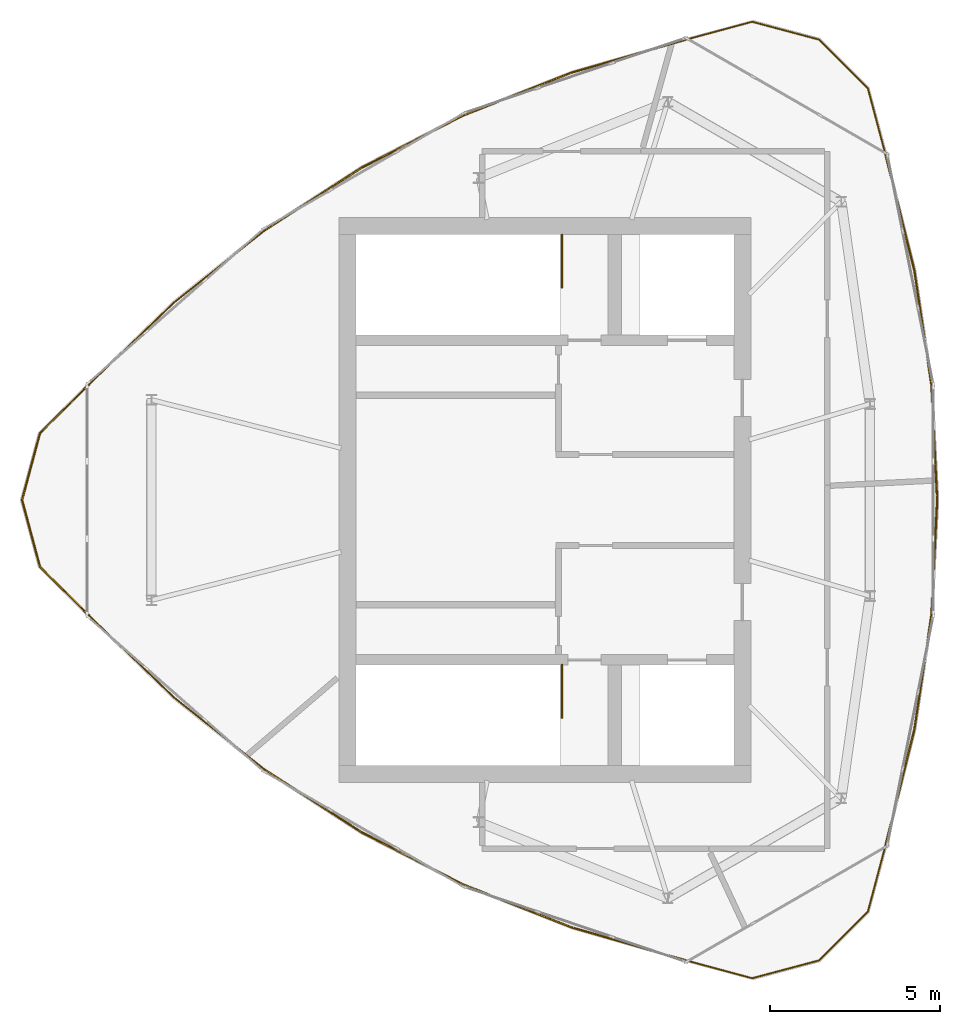
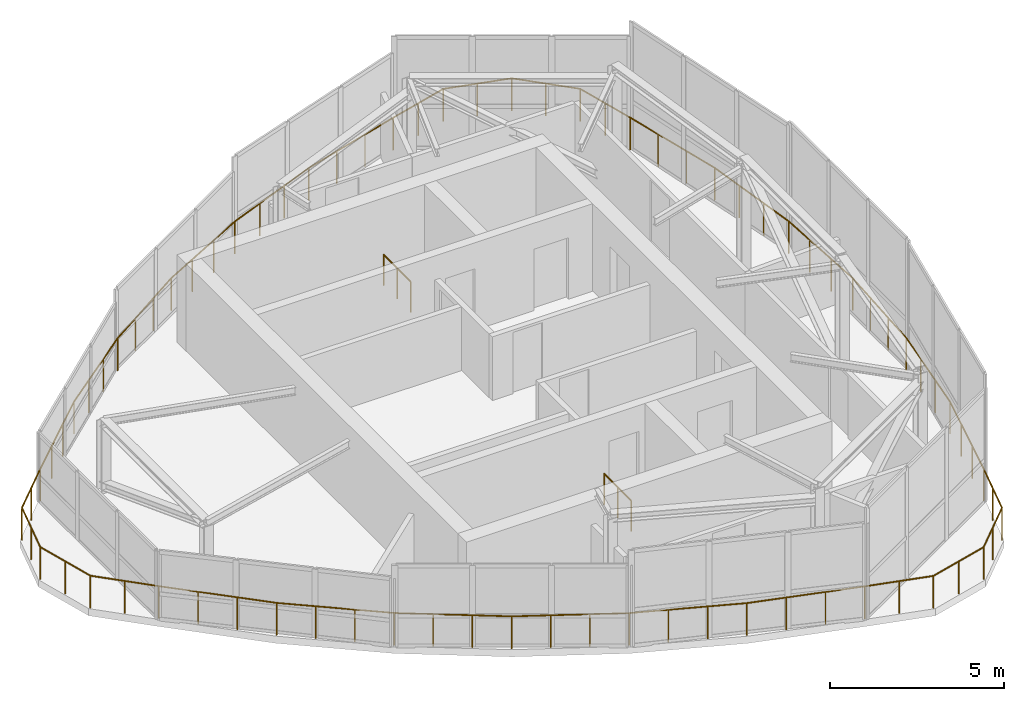
# One storey, part 9 of 9: 14 railings.
"""IFC4 building model written with IfcOpenShell, lengths in metres."""

from ifc_helpers import new_model, si_unit, direction, frame, origin, origin_2d, place, context, subcontext, project, spatial, circle, extrude, source, transform, mapped, material, type_object, element, save


model = new_model("IFC4")

# Units and contexts
model_context = context("Model", 3, precision=1e-05, world=origin(), true_north=direction((0.0, 1.0)))
body_context = subcontext(model_context, "Body", "Model", "MODEL_VIEW")
ifc_project = project(units=[si_unit("LENGTHUNIT", "METRE"), si_unit("AREAUNIT", "SQUARE_METRE"), si_unit("VOLUMEUNIT", "CUBIC_METRE"), si_unit("PLANEANGLEUNIT", "RADIAN"), si_unit("MASSUNIT", "GRAM", prefix="KILO")], contexts=[model_context])

# Site, building, storey
site_placement = place(None, origin())
site = spatial("IfcSite", under=ifc_project, at=site_placement, CompositionType="ELEMENT")
building_placement = place(site_placement, origin())
building = spatial("IfcBuilding", under=site, at=building_placement, Name="Qafzar Sky-Pleat Residences", CompositionType="ELEMENT")
storey_placement = place(building_placement, frame((0.0, 0.0, 274.699951171875)))
storey = spatial("IfcBuildingStorey", under=building, at=storey_placement, Name="L81 Crown", CompositionType="ELEMENT", Elevation=274.699951171875)

# Railings
ifc_material_1 = material(Name="Galvanised and bronze-coated Steel S355 guardrail", Category="steel")
railing_type_1 = type_object("IfcRailingType", Name="RAIL-EXT-1150", PredefinedType="GUARDRAIL", material=ifc_material_1)
shared_shape_1 = source(origin(), body_context, "Body", "SweptSolid", [
    extrude(circle(Radius=0.02392578125, at=origin_2d()), frame((0.0, 0.0, 1.1259765625), z_axis=(-0.708724936712, -0.705484914143, 0.0), x_axis=(0.705484914143, -0.708724936712, 0.0)), (0.0, 0.0, 1.0), 2.034423828125),
    extrude(circle(Radius=0.02392578125, at=origin_2d()), frame((-1.44189453125, -1.435302734375, 1.1259765625), z_axis=(-0.259598651554, -0.965716594096, 0.0), x_axis=(0.965716594096, -0.259598651554, 0.0)), (0.0, 0.0, 1.0), 2.0322265625),
    extrude(circle(Radius=0.02392578125, at=origin_2d()), frame((-1.969482421875, -3.39794921875, 1.1259765625), z_axis=(0.259598651554, -0.965716594096, 0.0), x_axis=(0.965716594096, 0.259598651554, 0.0)), (0.0, 0.0, 1.0), 2.0322265625),
    extrude(circle(Radius=0.02392578125, at=origin_2d()), frame((-1.44189453125, -5.360595703125, 1.1259765625), z_axis=(0.708724936712, -0.705484914143, 0.0), x_axis=(0.705484914143, 0.708724936712, 0.0)), (0.0, 0.0, 1.0), 2.034423828125),
    extrude(circle(Radius=0.02099609375, at=origin_2d()), origin(), (0.0, 0.0, 1.0), 1.101806640625),
    extrude(circle(Radius=0.02099609375, at=origin_2d()), frame((-0.720947265625, -0.7177734375, 0.0)), (0.0, 0.0, 1.0), 1.101806640625),
    extrude(circle(Radius=0.02099609375, at=origin_2d()), frame((-1.44189453125, -1.435302734375, 0.0)), (0.0, 0.0, 1.0), 1.101806640625),
    extrude(circle(Radius=0.02099609375, at=origin_2d()), frame((-1.70556640625, -2.41650390625, 0.0)), (0.0, 0.0, 1.0), 1.101806640625),
    extrude(circle(Radius=0.02099609375, at=origin_2d()), frame((-1.969482421875, -3.39794921875, 0.0)), (0.0, 0.0, 1.0), 1.101806640625),
    extrude(circle(Radius=0.02099609375, at=origin_2d()), frame((-1.70556640625, -4.37939453125, 0.0)), (0.0, 0.0, 1.0), 1.101806640625),
    extrude(circle(Radius=0.02099609375, at=origin_2d()), frame((-1.44189453125, -5.360595703125, 0.0)), (0.0, 0.0, 1.0), 1.101806640625),
    extrude(circle(Radius=0.02099609375, at=origin_2d()), frame((-0.720947265625, -6.078125, 0.0)), (0.0, 0.0, 1.0), 1.101806640625),
    extrude(circle(Radius=0.02099609375, at=origin_2d()), frame((0.0, -6.7958984375, 0.0)), (0.0, 0.0, 1.0), 1.101806640625),
])
railing_1_placement = place(storey_placement, frame((16.943115234375, 29.39794921875, 0.0)))
element("IfcRailing", 1, at=railing_1_placement, inside=storey, type_object=railing_type_1, Name="L81 Crown Corner Maintenance Guardrail 1", PredefinedType="GUARDRAIL", context=body_context, shape_type="MappedRepresentation", body=[
    mapped(shared_shape_1, transform((0.0, 0.0, 0.0), x_axis=(1.0, 0.0, 0.0), y_axis=(0.0, 1.0, 0.0), z_axis=(0.0, 0.0, 1.0), scale=1.0)),
])
shared_shape_2 = source(origin(), body_context, "Body", "SweptSolid", [
    extrude(circle(Radius=0.02392578125, at=origin_2d()), frame((0.0, 0.0, 1.1259765625), z_axis=(0.720079805165, -0.693891255309, 0.0), x_axis=(0.693891255309, 0.720079805165, 0.0)), (0.0, 0.0, 1.0), 3.477294921875),
    extrude(circle(Radius=0.02392578125, at=origin_2d()), frame((2.50390625, -2.412841796875, 1.1259765625), z_axis=(0.782780301242, -0.622298160039, 0.0), x_axis=(0.622298160039, 0.782780301242, 0.0)), (0.0, 0.0, 1.0), 3.40771484375),
    extrude(circle(Radius=0.02099609375, at=origin_2d()), origin(), (0.0, 0.0, 1.0), 1.101806640625),
    extrude(circle(Radius=0.02099609375, at=origin_2d()), frame((0.834716796875, -0.80419921875, 0.0)), (0.0, 0.0, 1.0), 1.101806640625),
    extrude(circle(Radius=0.02099609375, at=origin_2d()), frame((1.669189453125, -1.608642578125, 0.0)), (0.0, 0.0, 1.0), 1.101806640625),
    extrude(circle(Radius=0.02099609375, at=origin_2d()), frame((2.50390625, -2.412841796875, 0.0)), (0.0, 0.0, 1.0), 1.101806640625),
    extrude(circle(Radius=0.02099609375, at=origin_2d()), frame((3.39306640625, -3.11962890625, 0.0)), (0.0, 0.0, 1.0), 1.101806640625),
    extrude(circle(Radius=0.02099609375, at=origin_2d()), frame((4.2822265625, -3.82666015625, 0.0)), (0.0, 0.0, 1.0), 1.101806640625),
    extrude(circle(Radius=0.02099609375, at=origin_2d()), frame((5.17138671875, -4.533447265625, 0.0)), (0.0, 0.0, 1.0), 1.101806640625),
])
railing_2_placement = place(storey_placement, frame((16.943115234375, 22.60205078125, 0.0)))
element("IfcRailing", 2, at=railing_2_placement, inside=storey, type_object=railing_type_1, Name="L81 Crown Corner Maintenance Guardrail 2", PredefinedType="GUARDRAIL", context=body_context, shape_type="MappedRepresentation", body=[
    mapped(shared_shape_2, transform((0.0, 0.0, 0.0), x_axis=(1.0, 0.0, 0.0), y_axis=(0.0, 1.0, 0.0), z_axis=(0.0, 0.0, 1.0), scale=1.0)),
])
shared_shape_3 = source(origin(), body_context, "Body", "SweptSolid", [
    extrude(circle(Radius=0.02392578125, at=origin_2d()), frame((0.0, 0.0, 1.1259765625), z_axis=(0.839651683726, -0.54312526181, 0.0), x_axis=(0.54312526181, 0.839651683726, 0.0)), (0.0, 0.0, 1.0), 3.3740234375),
    extrude(circle(Radius=0.02392578125, at=origin_2d()), frame((2.8330078125, -1.83251953125, 1.1259765625), z_axis=(0.889146625227, -0.457622419521, 0.0), x_axis=(0.457622419521, 0.889146625227, 0.0)), (0.0, 0.0, 1.0), 3.376953125),
    extrude(circle(Radius=0.02099609375, at=origin_2d()), origin(), (0.0, 0.0, 1.0), 1.101806640625),
    extrude(circle(Radius=0.02099609375, at=origin_2d()), frame((0.9443359375, -0.61083984375, 0.0)), (0.0, 0.0, 1.0), 1.101806640625),
    extrude(circle(Radius=0.02099609375, at=origin_2d()), frame((1.888671875, -1.2216796875, 0.0)), (0.0, 0.0, 1.0), 1.101806640625),
    extrude(circle(Radius=0.02099609375, at=origin_2d()), frame((2.8330078125, -1.83251953125, 0.0)), (0.0, 0.0, 1.0), 1.101806640625),
    extrude(circle(Radius=0.02099609375, at=origin_2d()), frame((3.833984375, -2.34765625, 0.0)), (0.0, 0.0, 1.0), 1.101806640625),
    extrude(circle(Radius=0.02099609375, at=origin_2d()), frame((4.834716796875, -2.86279296875, 0.0)), (0.0, 0.0, 1.0), 1.101806640625),
    extrude(circle(Radius=0.02099609375, at=origin_2d()), frame((5.835693359375, -3.3779296875, 0.0)), (0.0, 0.0, 1.0), 1.101806640625),
])
railing_3_placement = place(storey_placement, frame((22.114501953125, 18.068603515625, 0.0)))
element("IfcRailing", 3, at=railing_3_placement, inside=storey, type_object=railing_type_1, Name="L81 Crown Corner Maintenance Guardrail 3", PredefinedType="GUARDRAIL", context=body_context, shape_type="MappedRepresentation", body=[
    mapped(shared_shape_3, transform((0.0, 0.0, 0.0), x_axis=(1.0, 0.0, 0.0), y_axis=(0.0, 1.0, 0.0), z_axis=(0.0, 0.0, 1.0), scale=1.0)),
])
shared_shape_4 = source(origin(), body_context, "Body", "SweptSolid", [
    extrude(circle(Radius=0.02392578125, at=origin_2d()), frame((0.0, 0.0, 1.1259765625), z_axis=(0.929860633226, -0.36791194976, 0.0), x_axis=(0.36791194976, 0.929860633226, 0.0)), (0.0, 0.0, 1.0), 3.414794921875),
    extrude(circle(Radius=0.02392578125, at=origin_2d()), frame((3.17529296875, -1.25634765625, 1.1259765625), z_axis=(0.960873454928, -0.276987731884, 0.0), x_axis=(0.276987731884, 0.960873454928, 0.0)), (0.0, 0.0, 1.0), 3.484130859375),
    extrude(circle(Radius=0.02099609375, at=origin_2d()), origin(), (0.0, 0.0, 1.0), 1.101806640625),
    extrude(circle(Radius=0.02099609375, at=origin_2d()), frame((1.058349609375, -0.418701171875, 0.0)), (0.0, 0.0, 1.0), 1.101806640625),
    extrude(circle(Radius=0.02099609375, at=origin_2d()), frame((2.116943359375, -0.837646484375, 0.0)), (0.0, 0.0, 1.0), 1.101806640625),
    extrude(circle(Radius=0.02099609375, at=origin_2d()), frame((3.17529296875, -1.25634765625, 0.0)), (0.0, 0.0, 1.0), 1.101806640625),
    extrude(circle(Radius=0.02099609375, at=origin_2d()), frame((4.291259765625, -1.578125, 0.0)), (0.0, 0.0, 1.0), 1.101806640625),
    extrude(circle(Radius=0.02099609375, at=origin_2d()), frame((5.4072265625, -1.899658203125, 0.0)), (0.0, 0.0, 1.0), 1.101806640625),
    extrude(circle(Radius=0.02099609375, at=origin_2d()), frame((6.523193359375, -2.221435546875, 0.0)), (0.0, 0.0, 1.0), 1.101806640625),
])
railing_4_placement = place(storey_placement, frame((27.9501953125, 14.690673828125, 0.0)))
element("IfcRailing", 4, at=railing_4_placement, inside=storey, type_object=railing_type_1, Name="L81 Crown Corner Maintenance Guardrail 4", PredefinedType="GUARDRAIL", context=body_context, shape_type="MappedRepresentation", body=[
    mapped(shared_shape_4, transform((0.0, 0.0, 0.0), x_axis=(1.0, 0.0, 0.0), y_axis=(0.0, 1.0, 0.0), z_axis=(0.0, 0.0, 1.0), scale=1.0)),
])
shared_shape_5 = source(origin(), body_context, "Body", "SweptSolid", [
    extrude(circle(Radius=0.02392578125, at=origin_2d()), frame((0.0, 0.0, 1.1259765625), z_axis=(0.965402539067, -0.260764141635, 0.0), x_axis=(0.260764141635, 0.965402539067, 0.0)), (0.0, 0.0, 1.0), 2.037353515625),
    extrude(circle(Radius=0.02392578125, at=origin_2d()), frame((1.966796875, -0.53125, 1.1259765625), z_axis=(0.96619709794, 0.257804514958, 0.0), x_axis=(-0.257804514958, 0.96619709794, 0.0)), (0.0, 0.0, 1.0), 2.03515625),
    extrude(circle(Radius=0.02392578125, at=origin_2d()), frame((3.93310546875, -0.006591796875, 1.1259765625), z_axis=(0.706926756555, 0.707286759996, 0.0), x_axis=(-0.707286759996, 0.706926756555, 0.0)), (0.0, 0.0, 1.0), 2.034423828125),
    extrude(circle(Radius=0.02392578125, at=origin_2d()), frame((5.371337890625, 1.432373046875, 1.1259765625), z_axis=(0.257490961633, 0.966280706978, 0.0), x_axis=(-0.966280706978, 0.257490961633, 0.0)), (0.0, 0.0, 1.0), 2.03564453125),
    extrude(circle(Radius=0.02099609375, at=origin_2d()), origin(), (0.0, 0.0, 1.0), 1.101806640625),
    extrude(circle(Radius=0.02099609375, at=origin_2d()), frame((0.9833984375, -0.265625, 0.0)), (0.0, 0.0, 1.0), 1.101806640625),
    extrude(circle(Radius=0.02099609375, at=origin_2d()), frame((1.966796875, -0.53125, 0.0)), (0.0, 0.0, 1.0), 1.101806640625),
    extrude(circle(Radius=0.02099609375, at=origin_2d()), frame((2.949951171875, -0.26904296875, 0.0)), (0.0, 0.0, 1.0), 1.101806640625),
    extrude(circle(Radius=0.02099609375, at=origin_2d()), frame((3.93310546875, -0.006591796875, 0.0)), (0.0, 0.0, 1.0), 1.101806640625),
    extrude(circle(Radius=0.02099609375, at=origin_2d()), frame((4.65234375, 0.712890625, 0.0)), (0.0, 0.0, 1.0), 1.101806640625),
    extrude(circle(Radius=0.02099609375, at=origin_2d()), frame((5.371337890625, 1.432373046875, 0.0)), (0.0, 0.0, 1.0), 1.101806640625),
    extrude(circle(Radius=0.02099609375, at=origin_2d()), frame((5.63330078125, 2.416015625, 0.0)), (0.0, 0.0, 1.0), 1.101806640625),
    extrude(circle(Radius=0.02099609375, at=origin_2d()), frame((5.8955078125, 3.3994140625, 0.0)), (0.0, 0.0, 1.0), 1.101806640625),
])
railing_5_placement = place(storey_placement, frame((34.473388671875, 12.46923828125, 0.0)))
element("IfcRailing", 5, at=railing_5_placement, inside=storey, type_object=railing_type_1, Name="L81 Crown Corner Maintenance Guardrail 5", PredefinedType="GUARDRAIL", context=body_context, shape_type="MappedRepresentation", body=[
    mapped(shared_shape_5, transform((0.0, 0.0, 0.0), x_axis=(1.0, 0.0, 0.0), y_axis=(0.0, 1.0, 0.0), z_axis=(0.0, 0.0, 1.0), scale=1.0)),
])
shared_shape_6 = source(origin(), body_context, "Body", "SweptSolid", [
    extrude(circle(Radius=0.02392578125, at=origin_2d()), frame((0.0, 0.0, 1.1259765625), z_axis=(0.241331133365, 0.970442828851, 0.0), x_axis=(-0.970442828851, 0.241331133365, 0.0)), (0.0, 0.0, 1.0), 3.482177734375),
    extrude(circle(Radius=0.02392578125, at=origin_2d()), frame((0.84033203125, 3.379150390625, 1.1259765625), z_axis=(0.147525640354, 0.989058231571, 0.0), x_axis=(-0.989058231571, 0.147525640354, 0.0)), (0.0, 0.0, 1.0), 3.4140625),
    extrude(circle(Radius=0.02099609375, at=origin_2d()), origin(), (0.0, 0.0, 1.0), 1.101806640625),
    extrude(circle(Radius=0.02099609375, at=origin_2d()), frame((0.280029296875, 1.12646484375, 0.0)), (0.0, 0.0, 1.0), 1.101806640625),
    extrude(circle(Radius=0.02099609375, at=origin_2d()), frame((0.560302734375, 2.252685546875, 0.0)), (0.0, 0.0, 1.0), 1.101806640625),
    extrude(circle(Radius=0.02099609375, at=origin_2d()), frame((0.84033203125, 3.379150390625, 0.0)), (0.0, 0.0, 1.0), 1.101806640625),
    extrude(circle(Radius=0.02099609375, at=origin_2d()), frame((1.00830078125, 4.504638671875, 0.0)), (0.0, 0.0, 1.0), 1.101806640625),
    extrude(circle(Radius=0.02099609375, at=origin_2d()), frame((1.176025390625, 5.63037109375, 0.0)), (0.0, 0.0, 1.0), 1.101806640625),
    extrude(circle(Radius=0.02099609375, at=origin_2d()), frame((1.343994140625, 6.755859375, 0.0)), (0.0, 0.0, 1.0), 1.101806640625),
])
railing_6_placement = place(storey_placement, frame((40.368896484375, 15.86865234375, 0.0)))
element("IfcRailing", 6, at=railing_6_placement, inside=storey, type_object=railing_type_1, Name="L81 Crown Corner Maintenance Guardrail 6", PredefinedType="GUARDRAIL", context=body_context, shape_type="MappedRepresentation", body=[
    mapped(shared_shape_6, transform((0.0, 0.0, 0.0), x_axis=(1.0, 0.0, 0.0), y_axis=(0.0, 1.0, 0.0), z_axis=(0.0, 0.0, 1.0), scale=1.0)),
])
shared_shape_7 = source(origin(), body_context, "Body", "SweptSolid", [
    extrude(circle(Radius=0.02392578125, at=origin_2d()), frame((0.0, 0.0, 1.1259765625), z_axis=(0.049627764151, 0.998767783334, 0.0), x_axis=(-0.998767783334, 0.049627764151, 0.0)), (0.0, 0.0, 1.0), 3.379638671875),
    extrude(circle(Radius=0.02392578125, at=origin_2d()), frame((0.167724609375, 3.37548828125, 1.1259765625), z_axis=(-0.049627764151, 0.998767783334, 0.0), x_axis=(-0.998767783334, -0.049627764151, 0.0)), (0.0, 0.0, 1.0), 3.379638671875),
    extrude(circle(Radius=0.02099609375, at=origin_2d()), origin(), (0.0, 0.0, 1.0), 1.101806640625),
    extrude(circle(Radius=0.02099609375, at=origin_2d()), frame((0.055908203125, 1.125244140625, 0.0)), (0.0, 0.0, 1.0), 1.101806640625),
    extrude(circle(Radius=0.02099609375, at=origin_2d()), frame((0.11181640625, 2.250244140625, 0.0)), (0.0, 0.0, 1.0), 1.101806640625),
    extrude(circle(Radius=0.02099609375, at=origin_2d()), frame((0.167724609375, 3.37548828125, 0.0)), (0.0, 0.0, 1.0), 1.101806640625),
    extrude(circle(Radius=0.02099609375, at=origin_2d()), frame((0.11181640625, 4.500732421875, 0.0)), (0.0, 0.0, 1.0), 1.101806640625),
    extrude(circle(Radius=0.02099609375, at=origin_2d()), frame((0.055908203125, 5.625732421875, 0.0)), (0.0, 0.0, 1.0), 1.101806640625),
    extrude(circle(Radius=0.02099609375, at=origin_2d()), frame((0.0, 6.7509765625, 0.0)), (0.0, 0.0, 1.0), 1.101806640625),
])
railing_7_placement = place(storey_placement, frame((41.712890625, 22.62451171875, 0.0)))
element("IfcRailing", 7, at=railing_7_placement, inside=storey, type_object=railing_type_1, Name="L81 Crown Corner Maintenance Guardrail 7", PredefinedType="GUARDRAIL", context=body_context, shape_type="MappedRepresentation", body=[
    mapped(shared_shape_7, transform((0.0, 0.0, 0.0), x_axis=(1.0, 0.0, 0.0), y_axis=(0.0, 1.0, 0.0), z_axis=(0.0, 0.0, 1.0), scale=1.0)),
])
shared_shape_8 = source(origin(), body_context, "Body", "SweptSolid", [
    extrude(circle(Radius=0.02392578125, at=origin_2d()), frame((0.0, 0.0, 1.1259765625), z_axis=(-0.147525640354, 0.989058231571, 0.0), x_axis=(-0.989058231571, -0.147525640354, 0.0)), (0.0, 0.0, 1.0), 3.4140625),
    extrude(circle(Radius=0.02392578125, at=origin_2d()), frame((-0.503662109375, 3.376708984375, 1.1259765625), z_axis=(-0.241331133365, 0.970442828851, 0.0), x_axis=(-0.970442828851, -0.241331133365, 0.0)), (0.0, 0.0, 1.0), 3.482177734375),
    extrude(circle(Radius=0.02099609375, at=origin_2d()), origin(), (0.0, 0.0, 1.0), 1.101806640625),
    extrude(circle(Radius=0.02099609375, at=origin_2d()), frame((-0.16796875, 1.12548828125, 0.0)), (0.0, 0.0, 1.0), 1.101806640625),
    extrude(circle(Radius=0.02099609375, at=origin_2d()), frame((-0.335693359375, 2.251220703125, 0.0)), (0.0, 0.0, 1.0), 1.101806640625),
    extrude(circle(Radius=0.02099609375, at=origin_2d()), frame((-0.503662109375, 3.376708984375, 0.0)), (0.0, 0.0, 1.0), 1.101806640625),
    extrude(circle(Radius=0.02099609375, at=origin_2d()), frame((-0.78369140625, 4.503173828125, 0.0)), (0.0, 0.0, 1.0), 1.101806640625),
    extrude(circle(Radius=0.02099609375, at=origin_2d()), frame((-1.06396484375, 5.62939453125, 0.0)), (0.0, 0.0, 1.0), 1.101806640625),
    extrude(circle(Radius=0.02099609375, at=origin_2d()), frame((-1.343994140625, 6.755859375, 0.0)), (0.0, 0.0, 1.0), 1.101806640625),
])
railing_8_placement = place(storey_placement, frame((41.712890625, 29.37548828125, 0.0)))
element("IfcRailing", 8, at=railing_8_placement, inside=storey, type_object=railing_type_1, Name="L81 Crown Corner Maintenance Guardrail 8", PredefinedType="GUARDRAIL", context=body_context, shape_type="MappedRepresentation", body=[
    mapped(shared_shape_8, transform((0.0, 0.0, 0.0), x_axis=(1.0, 0.0, 0.0), y_axis=(0.0, 1.0, 0.0), z_axis=(0.0, 0.0, 1.0), scale=1.0)),
])
shared_shape_9 = source(origin(), body_context, "Body", "SweptSolid", [
    extrude(circle(Radius=0.02392578125, at=origin_2d()), frame((0.0, 0.0, 1.1259765625), z_axis=(-0.257490961633, 0.966280706978, 0.0), x_axis=(-0.966280706978, -0.257490961633, 0.0)), (0.0, 0.0, 1.0), 2.03564453125),
    extrude(circle(Radius=0.02392578125, at=origin_2d()), frame((-0.524169921875, 1.967041015625, 1.1259765625), z_axis=(-0.706926756555, 0.707286759996, 0.0), x_axis=(-0.707286759996, -0.706926756555, 0.0)), (0.0, 0.0, 1.0), 2.034423828125),
    extrude(circle(Radius=0.02392578125, at=origin_2d()), frame((-1.96240234375, 3.406005859375, 1.1259765625), z_axis=(-0.96619709794, 0.257804514958, 0.0), x_axis=(-0.257804514958, -0.96619709794, 0.0)), (0.0, 0.0, 1.0), 2.03515625),
    extrude(circle(Radius=0.02392578125, at=origin_2d()), frame((-3.9287109375, 3.9306640625, 1.1259765625), z_axis=(-0.965402539067, -0.260764141635, 0.0), x_axis=(0.260764141635, -0.965402539067, 0.0)), (0.0, 0.0, 1.0), 2.037353515625),
    extrude(circle(Radius=0.02099609375, at=origin_2d()), origin(), (0.0, 0.0, 1.0), 1.101806640625),
    extrude(circle(Radius=0.02099609375, at=origin_2d()), frame((-0.26220703125, 0.9833984375, 0.0)), (0.0, 0.0, 1.0), 1.101806640625),
    extrude(circle(Radius=0.02099609375, at=origin_2d()), frame((-0.524169921875, 1.967041015625, 0.0)), (0.0, 0.0, 1.0), 1.101806640625),
    extrude(circle(Radius=0.02099609375, at=origin_2d()), frame((-1.2431640625, 2.6865234375, 0.0)), (0.0, 0.0, 1.0), 1.101806640625),
    extrude(circle(Radius=0.02099609375, at=origin_2d()), frame((-1.96240234375, 3.406005859375, 0.0)), (0.0, 0.0, 1.0), 1.101806640625),
    extrude(circle(Radius=0.02099609375, at=origin_2d()), frame((-2.945556640625, 3.66845703125, 0.0)), (0.0, 0.0, 1.0), 1.101806640625),
    extrude(circle(Radius=0.02099609375, at=origin_2d()), frame((-3.9287109375, 3.9306640625, 0.0)), (0.0, 0.0, 1.0), 1.101806640625),
    extrude(circle(Radius=0.02099609375, at=origin_2d()), frame((-4.912109375, 3.6650390625, 0.0)), (0.0, 0.0, 1.0), 1.101806640625),
    extrude(circle(Radius=0.02099609375, at=origin_2d()), frame((-5.8955078125, 3.3994140625, 0.0)), (0.0, 0.0, 1.0), 1.101806640625),
])
railing_9_placement = place(storey_placement, frame((40.368896484375, 36.13134765625, 0.0)))
element("IfcRailing", 9, at=railing_9_placement, inside=storey, type_object=railing_type_1, Name="L81 Crown Corner Maintenance Guardrail 9", PredefinedType="GUARDRAIL", context=body_context, shape_type="MappedRepresentation", body=[
    mapped(shared_shape_9, transform((0.0, 0.0, 0.0), x_axis=(1.0, 0.0, 0.0), y_axis=(0.0, 1.0, 0.0), z_axis=(0.0, 0.0, 1.0), scale=1.0)),
])
shared_shape_10 = source(origin(), body_context, "Body", "SweptSolid", [
    extrude(circle(Radius=0.02392578125, at=origin_2d()), frame((0.0, 0.0, 1.1259765625), z_axis=(-0.960873454928, -0.276987731884, 0.0), x_axis=(0.276987731884, -0.960873454928, 0.0)), (0.0, 0.0, 1.0), 3.484130859375),
    extrude(circle(Radius=0.02392578125, at=origin_2d()), frame((-3.347900390625, -0.965087890625, 1.1259765625), z_axis=(-0.929860633226, -0.36791194976, 0.0), x_axis=(0.36791194976, -0.929860633226, 0.0)), (0.0, 0.0, 1.0), 3.414794921875),
    extrude(circle(Radius=0.02099609375, at=origin_2d()), origin(), (0.0, 0.0, 1.0), 1.101806640625),
    extrude(circle(Radius=0.02099609375, at=origin_2d()), frame((-1.115966796875, -0.32177734375, 0.0)), (0.0, 0.0, 1.0), 1.101806640625),
    extrude(circle(Radius=0.02099609375, at=origin_2d()), frame((-2.23193359375, -0.643310546875, 0.0)), (0.0, 0.0, 1.0), 1.101806640625),
    extrude(circle(Radius=0.02099609375, at=origin_2d()), frame((-3.347900390625, -0.965087890625, 0.0)), (0.0, 0.0, 1.0), 1.101806640625),
    extrude(circle(Radius=0.02099609375, at=origin_2d()), frame((-4.40625, -1.3837890625, 0.0)), (0.0, 0.0, 1.0), 1.101806640625),
    extrude(circle(Radius=0.02099609375, at=origin_2d()), frame((-5.46484375, -1.802734375, 0.0)), (0.0, 0.0, 1.0), 1.101806640625),
    extrude(circle(Radius=0.02099609375, at=origin_2d()), frame((-6.523193359375, -2.221435546875, 0.0)), (0.0, 0.0, 1.0), 1.101806640625),
])
railing_10_placement = place(storey_placement, frame((34.473388671875, 39.53076171875, 0.0)))
element("IfcRailing", 10, at=railing_10_placement, inside=storey, type_object=railing_type_1, Name="L81 Crown Corner Maintenance Guardrail 10", PredefinedType="GUARDRAIL", context=body_context, shape_type="MappedRepresentation", body=[
    mapped(shared_shape_10, transform((0.0, 0.0, 0.0), x_axis=(1.0, 0.0, 0.0), y_axis=(0.0, 1.0, 0.0), z_axis=(0.0, 0.0, 1.0), scale=1.0)),
])
shared_shape_11 = source(origin(), body_context, "Body", "SweptSolid", [
    extrude(circle(Radius=0.02392578125, at=origin_2d()), frame((0.0, 0.0, 1.1259765625), z_axis=(-0.889146625227, -0.457622419521, 0.0), x_axis=(0.457622419521, -0.889146625227, 0.0)), (0.0, 0.0, 1.0), 3.376953125),
    extrude(circle(Radius=0.02392578125, at=origin_2d()), frame((-3.002685546875, -1.54541015625, 1.1259765625), z_axis=(-0.839651683726, -0.54312526181, 0.0), x_axis=(0.54312526181, -0.839651683726, 0.0)), (0.0, 0.0, 1.0), 3.3740234375),
    extrude(circle(Radius=0.02099609375, at=origin_2d()), origin(), (0.0, 0.0, 1.0), 1.101806640625),
    extrude(circle(Radius=0.02099609375, at=origin_2d()), frame((-1.0009765625, -0.51513671875, 0.0)), (0.0, 0.0, 1.0), 1.101806640625),
    extrude(circle(Radius=0.02099609375, at=origin_2d()), frame((-2.001708984375, -1.0302734375, 0.0)), (0.0, 0.0, 1.0), 1.101806640625),
    extrude(circle(Radius=0.02099609375, at=origin_2d()), frame((-3.002685546875, -1.54541015625, 0.0)), (0.0, 0.0, 1.0), 1.101806640625),
    extrude(circle(Radius=0.02099609375, at=origin_2d()), frame((-3.947021484375, -2.15625, 0.0)), (0.0, 0.0, 1.0), 1.101806640625),
    extrude(circle(Radius=0.02099609375, at=origin_2d()), frame((-4.891357421875, -2.76708984375, 0.0)), (0.0, 0.0, 1.0), 1.101806640625),
    extrude(circle(Radius=0.02099609375, at=origin_2d()), frame((-5.835693359375, -3.3779296875, 0.0)), (0.0, 0.0, 1.0), 1.101806640625),
])
railing_11_placement = place(storey_placement, frame((27.9501953125, 37.309326171875, 0.0)))
element("IfcRailing", 11, at=railing_11_placement, inside=storey, type_object=railing_type_1, Name="L81 Crown Corner Maintenance Guardrail 11", PredefinedType="GUARDRAIL", context=body_context, shape_type="MappedRepresentation", body=[
    mapped(shared_shape_11, transform((0.0, 0.0, 0.0), x_axis=(1.0, 0.0, 0.0), y_axis=(0.0, 1.0, 0.0), z_axis=(0.0, 0.0, 1.0), scale=1.0)),
])
shared_shape_12 = source(origin(), body_context, "Body", "SweptSolid", [
    extrude(circle(Radius=0.02392578125, at=origin_2d()), frame((0.0, 0.0, 1.1259765625), z_axis=(-0.782780301242, -0.622298160039, 0.0), x_axis=(0.622298160039, -0.782780301242, 0.0)), (0.0, 0.0, 1.0), 3.40771484375),
    extrude(circle(Radius=0.02392578125, at=origin_2d()), frame((-2.66748046875, -2.12060546875, 1.1259765625), z_axis=(-0.720079805165, -0.693891255309, 0.0), x_axis=(0.693891255309, -0.720079805165, 0.0)), (0.0, 0.0, 1.0), 3.477294921875),
    extrude(circle(Radius=0.02099609375, at=origin_2d()), origin(), (0.0, 0.0, 1.0), 1.101806640625),
    extrude(circle(Radius=0.02099609375, at=origin_2d()), frame((-0.88916015625, -0.706787109375, 0.0)), (0.0, 0.0, 1.0), 1.101806640625),
    extrude(circle(Radius=0.02099609375, at=origin_2d()), frame((-1.7783203125, -1.413818359375, 0.0)), (0.0, 0.0, 1.0), 1.101806640625),
    extrude(circle(Radius=0.02099609375, at=origin_2d()), frame((-2.66748046875, -2.12060546875, 0.0)), (0.0, 0.0, 1.0), 1.101806640625),
    extrude(circle(Radius=0.02099609375, at=origin_2d()), frame((-3.502197265625, -2.9248046875, 0.0)), (0.0, 0.0, 1.0), 1.101806640625),
    extrude(circle(Radius=0.02099609375, at=origin_2d()), frame((-4.336669921875, -3.729248046875, 0.0)), (0.0, 0.0, 1.0), 1.101806640625),
    extrude(circle(Radius=0.02099609375, at=origin_2d()), frame((-5.17138671875, -4.533447265625, 0.0)), (0.0, 0.0, 1.0), 1.101806640625),
])
railing_12_placement = place(storey_placement, frame((22.114501953125, 33.931396484375, 0.0)))
element("IfcRailing", 12, at=railing_12_placement, inside=storey, type_object=railing_type_1, Name="L81 Crown Corner Maintenance Guardrail 12", PredefinedType="GUARDRAIL", context=body_context, shape_type="MappedRepresentation", body=[
    mapped(shared_shape_12, transform((0.0, 0.0, 0.0), x_axis=(1.0, 0.0, 0.0), y_axis=(0.0, 1.0, 0.0), z_axis=(0.0, 0.0, 1.0), scale=1.0)),
])
ifc_material_2 = material(Name="Painted Steel S355 stair guardrail", Category="steel")
railing_type_2 = type_object("IfcRailingType", Name="RAIL-STAIR-GUARD", PredefinedType="GUARDRAIL", material=ifc_material_2)
shared_shape_13 = source(origin(), body_context, "Body", "SweptSolid", [
    extrude(circle(Radius=0.02392578125, at=origin_2d()), frame((0.0, 0.0, 1.076171875), z_axis=(0.0, -1.0, 0.0), x_axis=(1.0, 0.0, 0.0)), (0.0, 0.0, 1.0), 1.5498046875),
    extrude(circle(Radius=0.02099609375, at=origin_2d()), origin(), (0.0, 0.0, 1.0), 1.052001953125),
    extrude(circle(Radius=0.02099609375, at=origin_2d()), frame((0.0, -0.77490234375, 0.0)), (0.0, 0.0, 1.0), 1.052001953125),
    extrude(circle(Radius=0.02099609375, at=origin_2d()), frame((0.0, -1.5498046875, 0.0)), (0.0, 0.0, 1.0), 1.052001953125),
])
railing_13_placement = place(storey_placement, frame((30.85009765625, 21.14990234375, 0.0)))
element("IfcRailing", 13, at=railing_13_placement, inside=storey, type_object=railing_type_2, Name="L81 Crown ST1 top well guard 1", PredefinedType="GUARDRAIL", context=body_context, shape_type="MappedRepresentation", body=[
    mapped(shared_shape_13, transform((0.0, 0.0, 0.0), x_axis=(1.0, 0.0, 0.0), y_axis=(0.0, 1.0, 0.0), z_axis=(0.0, 0.0, 1.0), scale=1.0)),
])
shared_shape_14 = source(origin(), body_context, "Body", "SweptSolid", [
    extrude(circle(Radius=0.02392578125, at=origin_2d()), frame((0.0, 0.0, 1.076171875), z_axis=(0.0, -1.0, 0.0), x_axis=(1.0, 0.0, 0.0)), (0.0, 0.0, 1.0), 1.550048828125),
    extrude(circle(Radius=0.02099609375, at=origin_2d()), origin(), (0.0, 0.0, 1.0), 1.052001953125),
    extrude(circle(Radius=0.02099609375, at=origin_2d()), frame((0.0, -0.77490234375, 0.0)), (0.0, 0.0, 1.0), 1.052001953125),
    extrude(circle(Radius=0.02099609375, at=origin_2d()), frame((0.0, -1.550048828125, 0.0)), (0.0, 0.0, 1.0), 1.052001953125),
])
railing_14_placement = place(storey_placement, frame((30.85009765625, 33.800048828125, 0.0)))
element("IfcRailing", 14, at=railing_14_placement, inside=storey, type_object=railing_type_2, Name="L81 Crown ST2 top well guard 1", PredefinedType="GUARDRAIL", context=body_context, shape_type="MappedRepresentation", body=[
    mapped(shared_shape_14, transform((0.0, 0.0, 0.0), x_axis=(1.0, 0.0, 0.0), y_axis=(0.0, 1.0, 0.0), z_axis=(0.0, 0.0, 1.0), scale=1.0)),
])

save(model, "model.ifc")
